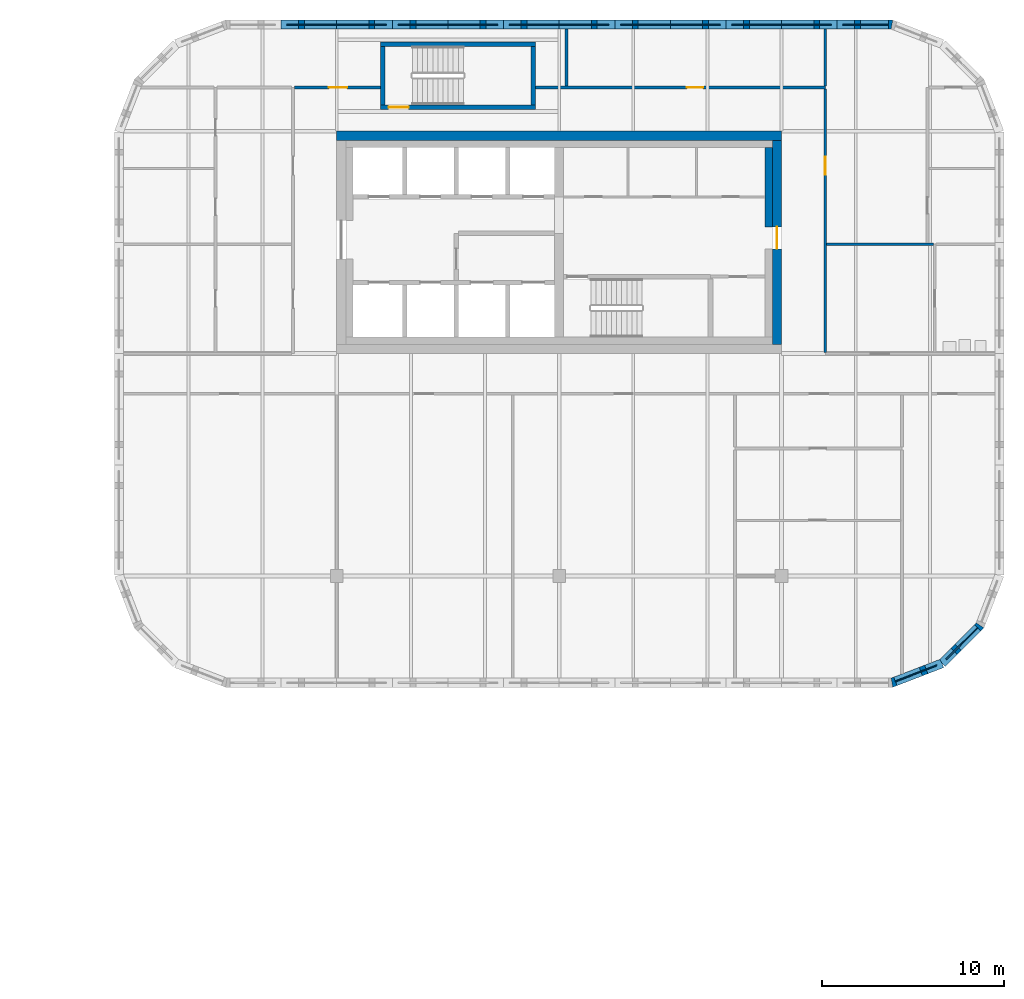
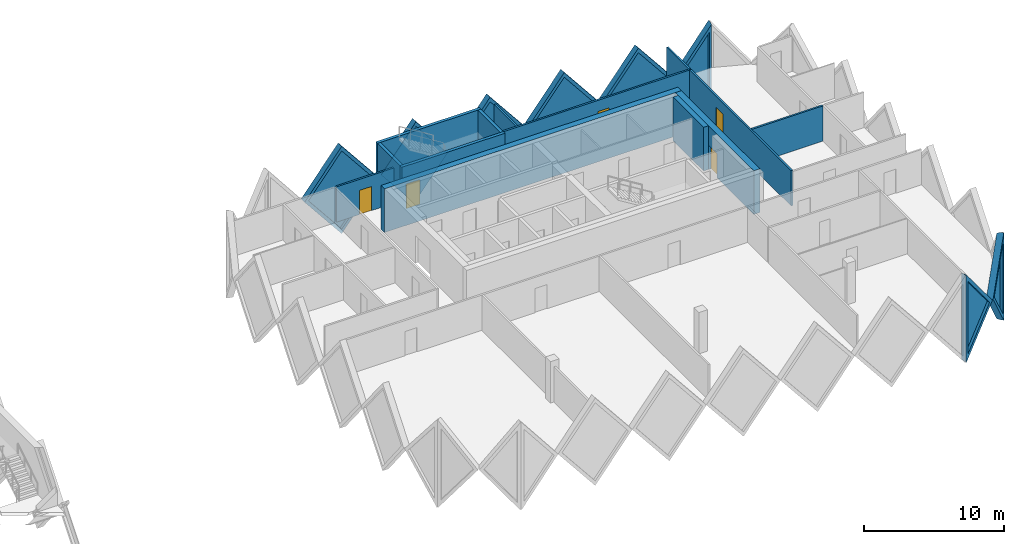
# One storey, part 14 of 19: 21 walls, 8 plates, 5 doors, 13 openings.
"""IFC4 building model written with IfcOpenShell, lengths in metres."""

from ifc_helpers import new_model, si_unit, direction, frame, frame_2d, origin, place, context, subcontext, project, spatial, polyline, rectangle, outline, extrude, faceted_brep, source, transform, mapped, material, layer, layer_set, type_object, element, fill, save


model = new_model("IFC4")

# Units and contexts
model_context = context("Model", 3, precision=1e-05, world=origin(), true_north=direction((0.0, 1.0)))
body_context = subcontext(model_context, "Body", "Model", "MODEL_VIEW")
ifc_project = project(units=[si_unit("LENGTHUNIT", "METRE"), si_unit("AREAUNIT", "SQUARE_METRE"), si_unit("VOLUMEUNIT", "CUBIC_METRE"), si_unit("PLANEANGLEUNIT", "RADIAN"), si_unit("MASSUNIT", "GRAM", prefix="KILO")], contexts=[model_context])

# Site, building, storey
site_placement = place(None, origin())
site = spatial("IfcSite", under=ifc_project, at=site_placement, CompositionType="ELEMENT")
building_placement = place(site_placement, origin())
building = spatial("IfcBuilding", under=site, at=building_placement, Name="Tessera Gate Towers", CompositionType="ELEMENT")
storey_placement = place(building_placement, frame((0.0, 0.0, 83.800048828125)))
storey = spatial("IfcBuildingStorey", under=building, at=storey_placement, Name="L20", CompositionType="ELEMENT", Elevation=83.800048828125)

# Wall, opening, door
ifc_material_1 = material(Name="Concrete C40/50", Category="concrete")
ifc_layer_1 = layer(ifc_material_1, 0.25)
ifc_layer_set_1 = layer_set([ifc_layer_1], Name="CORE ENCLOSURE WALL 250")
wall_type_1 = type_object("IfcWallType", Name="CORE ENCLOSURE WALL 250", PredefinedType="SOLIDWALL", material=ifc_layer_set_1)
wall_1_placement = place(storey_placement, frame((108.5, 50.125, 0.0), z_axis=(0.0, 0.0, 1.0), x_axis=(-1.0, 0.0, 0.0)))
wall_1 = element("IfcWall", 1, at=wall_1_placement, inside=storey, type_object=wall_type_1, Name="L20 ST7 enclosure wall", PredefinedType="SOLIDWALL", context=body_context, shape_type="SweptSolid", body=[
    extrude(rectangle(XDim=8.5, YDim=0.25, at=frame_2d((4.25, 0.0))), origin(), (0.0, 0.0, 1.0), 3.800048828125),
])
shared_shape_1 = source(origin(), body_context, "Body", "SweptSolid", [
    extrude(rectangle(XDim=1.10009765625, YDim=2.10009765625, at=frame_2d((0.550048828125, 1.050048828125))), frame((0.0, 0.135009765625, 0.0), z_axis=(0.0, -1.0, 0.0), x_axis=(1.0, 0.0, 0.0)), (0.0, 0.0, 1.0), 0.27001953125),
])
opening_1_placement = place(wall_1_placement, frame((6.949951171875, 0.0, 0.0)))
opening_1 = element("IfcOpeningElement", 2, at=opening_1_placement, cuts=wall_1, Name="Opening SD-ST7-1", PredefinedType="OPENING", context=body_context, shape_type="MappedRepresentation", body=[
    mapped(shared_shape_1, transform((0.0, 0.0, 0.0), scale=1.0)),
])
ifc_material_2 = material(Name="Hollow steel fire door", Category="steel")
door_type_1 = type_object("IfcDoorType", Name="CORE DOOR SD1100 1100x2100", OperationType="NOTDEFINED", PredefinedType="DOOR", material=ifc_material_2)
shared_shape_2 = source(origin(), body_context, "Body", "SweptSolid", [
    extrude(rectangle(XDim=1.10009765625, YDim=2.10009765625, at=frame_2d((0.550048828125, 1.050048828125))), frame((0.0, 0.02490234375, 0.0), z_axis=(0.0, -1.0, 0.0), x_axis=(1.0, 0.0, 0.0)), (0.0, 0.0, 1.0), 0.050048828125),
])
door_1_placement = place(opening_1_placement, origin())
door_1 = element("IfcDoor", 3, at=door_1_placement, inside=storey, type_object=door_type_1, Name="Stair door", OperationType="SINGLE_SWING_RIGHT", OverallHeight=2.10009765625, OverallWidth=1.10009765625, PredefinedType="DOOR", context=body_context, shape_type="MappedRepresentation", body=[
    mapped(shared_shape_2, transform((0.0, 0.0, 0.0), scale=1.0)),
])
fill(opening_1, door_1)

# Walls
wall_2_placement = place(storey_placement, frame((100.125, 50.25, 0.0), z_axis=(0.0, 0.0, 1.0), x_axis=(0.0, 1.0, 0.0)))
element("IfcWall", 4, at=wall_2_placement, inside=storey, type_object=wall_type_1, Name="L20 ST7 enclosure wall", PredefinedType="SOLIDWALL", context=body_context, shape_type="SweptSolid", body=[
    extrude(rectangle(XDim=3.199951171875, YDim=0.25, at=frame_2d((1.60009765625, 0.0))), origin(), (0.0, 0.0, 1.0), 3.800048828125),
])
wall_3_placement = place(storey_placement, frame((100.0, 53.574951171875, 0.0), z_axis=(0.0, 0.0, 1.0), x_axis=(1.0, 0.0, 0.0)))
element("IfcWall", 5, at=wall_3_placement, inside=storey, type_object=wall_type_1, Name="L20 ST7 enclosure wall", PredefinedType="SOLIDWALL", context=body_context, shape_type="SweptSolid", body=[
    extrude(rectangle(XDim=8.5, YDim=0.25, at=frame_2d((4.25, 0.0))), origin(), (0.0, 0.0, 1.0), 3.800048828125),
])
wall_4_placement = place(storey_placement, frame((108.375, 53.449951171875, 0.0), z_axis=(0.0, 0.0, 1.0), x_axis=(0.0, -1.0, 0.0)))
element("IfcWall", 6, at=wall_4_placement, inside=storey, type_object=wall_type_1, Name="L20 ST7 enclosure wall", PredefinedType="SOLIDWALL", context=body_context, shape_type="SweptSolid", body=[
    extrude(rectangle(XDim=3.199951171875, YDim=0.25, at=frame_2d((1.60009765625, 0.0))), origin(), (0.0, 0.0, 1.0), 3.800048828125),
])
ifc_material_3 = material(Name="Concrete C50/60", Category="concrete")
ifc_layer_2 = layer(ifc_material_3, 0.5)
ifc_layer_set_2 = layer_set([ifc_layer_2], Name="CORE SHEAR WALL 500 C50/60")
wall_type_2 = type_object("IfcWallType", Name="CORE SHEAR WALL 500 C50/60", PredefinedType="SHEAR", material=ifc_layer_set_2)
wall_5_placement = place(storey_placement, frame((97.60009765625, 48.550048828125, 0.0), z_axis=(0.0, 0.0, 1.0), x_axis=(1.0, 0.0, 0.0)))
element("IfcWall", 7, at=wall_5_placement, inside=storey, type_object=wall_type_2, Name="Core wall N L20", PredefinedType="SHEAR", context=body_context, shape_type="SweptSolid", body=[
    extrude(rectangle(XDim=24.39990234375, YDim=0.5, at=frame_2d((12.199951171875, 0.0))), origin(), (0.0, 0.0, 1.0), 3.800048828125),
])

# Wall, opening, door
wall_6_placement = place(storey_placement, frame((121.75, 48.300048828125, 0.0), z_axis=(0.0, 0.0, 1.0), x_axis=(0.0, -1.0, 0.0)))
wall_6 = element("IfcWall", 8, at=wall_6_placement, inside=storey, type_object=wall_type_2, Name="Core wall E L20", PredefinedType="SHEAR", context=body_context, shape_type="SweptSolid", body=[
    extrude(rectangle(XDim=11.199951171875, YDim=0.5, at=frame_2d((5.60009765625, 0.0))), origin(), (0.0, 0.0, 1.0), 3.800048828125),
])
shared_shape_3 = source(origin(), body_context, "Body", "SweptSolid", [
    extrude(rectangle(XDim=1.199951171875, YDim=2.10009765625, at=frame_2d((0.60009765625, 1.050048828125))), frame((0.0, 0.260009765625, 0.0), z_axis=(0.0, -1.0, 0.0), x_axis=(1.0, 0.0, 0.0)), (0.0, 0.0, 1.0), 0.52001953125),
])
opening_2_placement = place(wall_6_placement, frame((4.75, 0.0, 0.0)))
opening_2 = element("IfcOpeningElement", 9, at=opening_2_placement, cuts=wall_6, Name="Opening ED-T2-11-02", PredefinedType="OPENING", context=body_context, shape_type="MappedRepresentation", body=[
    mapped(shared_shape_3, transform((0.0, 0.0, 0.0), scale=1.0)),
])
ifc_material_4 = material(Name="Hollow steel fire door", Category="steel")
door_type_2 = type_object("IfcDoorType", Name="CORE DOOR ED 1200x2100", OperationType="NOTDEFINED", PredefinedType="DOOR", material=ifc_material_4)
shared_shape_4 = source(origin(), body_context, "Body", "SweptSolid", [
    extrude(rectangle(XDim=1.199951171875, YDim=2.10009765625, at=frame_2d((0.60009765625, 1.050048828125))), frame((0.0, 0.02490234375, 0.0), z_axis=(0.0, -1.0, 0.0), x_axis=(1.0, 0.0, 0.0)), (0.0, 0.0, 1.0), 0.050048828125),
])
door_2_placement = place(opening_2_placement, origin())
door_2 = element("IfcDoor", 10, at=door_2_placement, inside=storey, type_object=door_type_2, Name="Core exit door", OperationType="SINGLE_SWING_LEFT", OverallHeight=2.10009765625, OverallWidth=1.199951171875, PredefinedType="DOOR", context=body_context, shape_type="MappedRepresentation", body=[
    mapped(shared_shape_4, transform((0.0, 0.0, 0.0), scale=1.0)),
])
fill(opening_2, door_2)

# Wall
ifc_material_5 = material(Name="Concrete C50/60", Category="concrete")
ifc_layer_3 = layer(ifc_material_5, 0.39990234375)
ifc_layer_set_3 = layer_set([ifc_layer_3], Name="CORE WALL THICKENING 400")
wall_type_3 = type_object("IfcWallType", Name="CORE WALL THICKENING 400", PredefinedType="SOLIDWALL", material=ifc_layer_set_3)
wall_7_placement = place(storey_placement, frame((121.300048828125, 43.550048828125, 0.0), z_axis=(0.0, 0.0, 1.0), x_axis=(0.0, 1.0, 0.0)))
element("IfcWall", 11, at=wall_7_placement, inside=storey, type_object=wall_type_3, Name="Core wall thickening E L20", PredefinedType="SOLIDWALL", context=body_context, shape_type="SweptSolid", body=[
    extrude(rectangle(XDim=4.349853515625, YDim=0.39990234375, at=frame_2d((2.1748046875, 0.0))), origin(), (0.0, 0.0, 1.0), 3.800048828125),
])

# Wall, opening, door
ifc_material_6 = material(Name="Gypsum board on steel studs, mineral wool", Category="steel")
ifc_layer_4 = layer(ifc_material_6, 0.14990234375)
ifc_layer_set_4 = layer_set([ifc_layer_4], Name="CORRIDOR WALL 150")
wall_type_4 = type_object("IfcWallType", Name="CORRIDOR WALL 150", PredefinedType="PARTITIONING", material=ifc_layer_set_4)
wall_8_placement = place(storey_placement, frame((124.39990234375, 51.1240234375, 0.0), z_axis=(0.0, 0.0, 1.0), x_axis=(0.0, -1.0, 0.0)))
wall_8 = element("IfcWall", 12, at=wall_8_placement, inside=storey, type_object=wall_type_4, Name="T2-L20-PW-016", PredefinedType="PARTITIONING", context=body_context, shape_type="SweptSolid", body=[
    extrude(rectangle(XDim=14.447998046875, YDim=0.14990234375, at=frame_2d((7.22412109375, 0.0))), origin(), (0.0, 0.0, 1.0), 3.06689453125),
])
shared_shape_5 = source(origin(), body_context, "Body", "SweptSolid", [
    extrude(rectangle(XDim=1.0, YDim=2.10009765625, at=frame_2d((0.5, 1.050048828125))), frame((0.0, 0.0849609375, 0.0), z_axis=(0.0, -1.0, 0.0), x_axis=(1.0, 0.0, 0.0)), (0.0, 0.0, 1.0), 0.169921875),
])
opening_3_placement = place(wall_8_placement, frame((3.72412109375, 0.0, 0.0)))
opening_3 = element("IfcOpeningElement", 13, at=opening_3_placement, cuts=wall_8, Name="Opening D2100FD60-B08-03", PredefinedType="OPENING", context=body_context, shape_type="MappedRepresentation", body=[
    mapped(shared_shape_5, transform((0.0, 0.0, 0.0), scale=1.0)),
])
ifc_material_7 = material(Name="Timber door leaf in steel frame", Category="steel")
door_type_3 = type_object("IfcDoorType", Name="TENANCY ENTRANCE DOOR 1000 FD60", OperationType="NOTDEFINED", PredefinedType="DOOR", material=ifc_material_7)
shared_shape_6 = source(origin(), body_context, "Body", "SweptSolid", [
    extrude(rectangle(XDim=1.0, YDim=2.10009765625, at=frame_2d((0.5, 1.050048828125))), frame((0.0, 0.02490234375, 0.0), z_axis=(0.0, -1.0, 0.0), x_axis=(1.0, 0.0, 0.0)), (0.0, 0.0, 1.0), 0.050048828125),
])
door_3_placement = place(opening_3_placement, origin())
door_3 = element("IfcDoor", 14, at=door_3_placement, inside=storey, type_object=door_type_3, Name="T2-L20-PD-009", OperationType="SINGLE_SWING_RIGHT", OverallHeight=2.10009765625, OverallWidth=1.0, PredefinedType="DOOR", context=body_context, shape_type="MappedRepresentation", body=[
    mapped(shared_shape_6, transform((0.0, 0.0, 0.0), scale=1.0)),
])
fill(opening_3, door_3)

wall_9_placement = place(storey_placement, frame((95.27587890625, 51.199951171875, 0.0), z_axis=(0.0, 0.0, 1.0), x_axis=(1.0, 0.0, 0.0)))
wall_9 = element("IfcWall", 15, at=wall_9_placement, inside=storey, type_object=wall_type_4, Name="T2-L20-PW-027", PredefinedType="PARTITIONING", context=body_context, shape_type="SweptSolid", body=[
    extrude(rectangle(XDim=4.72412109375, YDim=0.14990234375, at=frame_2d((2.362060546875, 0.0))), origin(), (0.0, 0.0, 1.0), 3.06689453125),
])
opening_4_placement = place(wall_9_placement, frame((1.89990234375, 0.0, 0.0)))
opening_4 = element("IfcOpeningElement", 16, at=opening_4_placement, cuts=wall_9, Name="Opening D2100FD60-B08-02", PredefinedType="OPENING", context=body_context, shape_type="MappedRepresentation", body=[
    mapped(shared_shape_5, transform((0.0, 0.0, 0.0), scale=1.0)),
])
door_4_placement = place(opening_4_placement, origin())
door_4 = element("IfcDoor", 17, at=door_4_placement, inside=storey, type_object=door_type_3, Name="T2-L20-PD-007", OperationType="SINGLE_SWING_LEFT", OverallHeight=2.10009765625, OverallWidth=1.0, PredefinedType="DOOR", context=body_context, shape_type="MappedRepresentation", body=[
    mapped(shared_shape_6, transform((0.0, 0.0, 0.0), scale=1.0)),
])
fill(opening_4, door_4)

wall_10_placement = place(storey_placement, frame((108.5, 51.199951171875, 0.0), z_axis=(0.0, 0.0, 1.0), x_axis=(1.0, 0.0, 0.0)))
wall_10 = element("IfcWall", 18, at=wall_10_placement, inside=storey, type_object=wall_type_4, Name="T2-L20-PW-028", PredefinedType="PARTITIONING", context=body_context, shape_type="SweptSolid", body=[
    extrude(rectangle(XDim=15.89990234375, YDim=0.14990234375, at=frame_2d((7.949951171875, 0.0))), origin(), (0.0, 0.0, 1.0), 3.06689453125),
])
shared_shape_7 = source(origin(), body_context, "Body", "SweptSolid", [
    extrude(rectangle(XDim=0.89990234375, YDim=2.10009765625, at=frame_2d((0.449951171875, 1.050048828125))), frame((0.0, 0.0849609375, 0.0), z_axis=(0.0, -1.0, 0.0), x_axis=(1.0, 0.0, 0.0)), (0.0, 0.0, 1.0), 0.169921875),
])
opening_5_placement = place(wall_10_placement, frame((8.300048828125, 0.0, 0.0)))
opening_5 = element("IfcOpeningElement", 19, at=opening_5_placement, cuts=wall_10, Name="Opening D890FD60-B08-01", PredefinedType="OPENING", context=body_context, shape_type="MappedRepresentation", body=[
    mapped(shared_shape_7, transform((0.0, 0.0, 0.0), scale=1.0)),
])
ifc_material_8 = material(Name="Timber door leaf in steel frame", Category="steel")
door_type_4 = type_object("IfcDoorType", Name="CORRIDOR DOOR 900 FD60", OperationType="NOTDEFINED", PredefinedType="DOOR", material=ifc_material_8)
shared_shape_8 = source(origin(), body_context, "Body", "SweptSolid", [
    extrude(rectangle(XDim=0.89990234375, YDim=2.10009765625, at=frame_2d((0.449951171875, 1.050048828125))), frame((0.0, 0.02490234375, 0.0), z_axis=(0.0, -1.0, 0.0), x_axis=(1.0, 0.0, 0.0)), (0.0, 0.0, 1.0), 0.050048828125),
])
door_5_placement = place(opening_5_placement, origin())
door_5 = element("IfcDoor", 20, at=door_5_placement, inside=storey, type_object=door_type_4, Name="T2-L20-PD-019", OperationType="SINGLE_SWING_LEFT", OverallHeight=2.10009765625, OverallWidth=0.89990234375, PredefinedType="DOOR", context=body_context, shape_type="MappedRepresentation", body=[
    mapped(shared_shape_8, transform((0.0, 0.0, 0.0), scale=1.0)),
])
fill(opening_5, door_5)

# Walls
ifc_material_9 = material(Name="Gypsum board on steel studs, mineral wool", Category="steel")
ifc_layer_5 = layer(ifc_material_9, 0.14990234375)
ifc_layer_set_5 = layer_set([ifc_layer_5], Name="TENANCY WALL 150")
wall_type_5 = type_object("IfcWallType", Name="TENANCY WALL 150", PredefinedType="PARTITIONING", material=ifc_layer_set_5)
wall_11_placement = place(storey_placement, frame((124.47607421875, 42.60009765625, 0.0), z_axis=(0.0, 0.0, 1.0), x_axis=(1.0, 0.0, 0.0)))
element("IfcWall", 21, at=wall_11_placement, inside=storey, type_object=wall_type_5, Name="T2-L20-PW-020", PredefinedType="PARTITIONING", context=body_context, shape_type="SweptSolid", body=[
    extrude(rectangle(XDim=5.847900390625, YDim=0.14990234375, at=frame_2d((2.923828125, 0.0))), origin(), (0.0, 0.0, 1.0), 3.06689453125),
])
for number, where, z_axis, x_axis, name in (
    (22, (110.199951171875, 51.27587890625, 0.0), (0.0, 0.0, 1.0), (0.0, 1.0, 0.0), "T2-L20-PW-030"),
    (23, (124.39990234375, 51.27587890625, 0.0), (0.0, 0.0, 1.0), (0.0, 1.0, 0.0), "T2-L20-PW-031"),
):
    element("IfcWall", number, at=place(storey_placement, frame(where, z_axis=z_axis, x_axis=x_axis)), inside=storey, type_object=wall_type_5, Name=name, PredefinedType="PARTITIONING", context=body_context, shape_type="SweptSolid", body=[
        extrude(rectangle(XDim=3.1240234375, YDim=0.14990234375, at=frame_2d((1.56201171875, 0.0))), origin(), (0.0, 0.0, 1.0), 3.06689453125),
    ])

# Wall, opening, plate
ifc_material_10 = material(Name="Precast concrete C60/75 white", Category="concrete")
ifc_layer_6 = layer(ifc_material_10, 0.5)
ifc_layer_set_6 = layer_set([ifc_layer_6], Name="TS1 tessera")
wall_type_6 = type_object("IfcWallType", Name="TS1 tessera", PredefinedType="SOLIDWALL", material=ifc_layer_set_6)
shared_shape_9 = source(origin(), body_context, "Body", "Brep", [
    faceted_brep([(3.050048828125, -0.25, 0.0), (6.099853515625, -0.25, 3.7998046875), (6.099853515625, -0.25, 3.80029296875), (3.050048828125, -0.25, 7.60009765625), (0.0, -0.25, 3.800048828125), (0.0, 0.25, 3.800048828125), (3.050048828125, 0.25, 7.60009765625), (6.099853515625, 0.25, 3.80029296875), (6.099853515625, 0.25, 3.7998046875), (3.050048828125, 0.25, 0.0)], [[[0, 1, 2, 3, 4]], [[5, 6, 7, 8, 9]], [[9, 8, 1, 0]], [[7, 6, 3, 2]], [[6, 5, 4, 3]], [[5, 9, 0, 4]], [[1, 8, 7, 2]]]),
])
wall_12_placement = place(storey_placement, frame((118.949951171875, 54.64990234375, -3.800048828125), z_axis=(0.0, 0.0, 1.0), x_axis=(-1.0, 0.0, 0.0)))
wall_12 = element("IfcWall", 24, at=wall_12_placement, inside=storey, type_object=wall_type_6, Name="Precast tessera T2 TS1-0244", PredefinedType="SOLIDWALL", context=body_context, shape_type="MappedRepresentation", body=[
    mapped(shared_shape_9, transform((0.0, 0.0, 0.0), scale=1.0)),
])
shared_shape_10 = source(origin(), body_context, "Body", "SweptSolid", [
    extrude(outline(polyline([(3.050048828125, 0.3994140625), (5.779541015625, 3.800048828125), (3.050048828125, 7.20068359375), (0.320556640625, 3.800048828125), (3.050048828125, 0.3994140625)])), frame((0.0, 0.260009765625, 0.0), z_axis=(0.0, -1.0, 0.0), x_axis=(1.0, 0.0, 0.0)), (0.0, 0.0, 1.0), 0.52001953125),
])
opening_6_placement = place(wall_12_placement, origin())
opening_6 = element("IfcOpeningElement", 25, at=opening_6_placement, cuts=wall_12, Name="Opening T2-PL2-0462", PredefinedType="OPENING", context=body_context, shape_type="MappedRepresentation", body=[
    mapped(shared_shape_10, transform((0.0, 0.0, 0.0), scale=1.0)),
])
ifc_material_11 = material(Name="Low-e laminated glass", Category="glass")
ifc_layer_7 = layer(ifc_material_11, 0.06005859375)
ifc_layer_set_7 = layer_set([ifc_layer_7], Name="PL2 rhombic pane")
plate_type = type_object("IfcPlateType", Name="PL2 rhombic pane", PredefinedType="SHEET", material=ifc_layer_set_7)
shared_shape_11 = source(origin(), body_context, "Body", "SweptSolid", [
    extrude(outline(polyline([(3.050048828125, 0.3994140625), (5.779541015625, 3.800048828125), (3.050048828125, 7.20068359375), (0.320556640625, 3.800048828125), (3.050048828125, 0.3994140625)])), frame((0.0, 0.030029296875, 0.0), z_axis=(0.0, -1.0, 0.0), x_axis=(1.0, 0.0, 0.0)), (0.0, 0.0, 1.0), 0.06005859375),
])
plate_1_placement = place(opening_6_placement, origin())
plate_1 = element("IfcPlate", 26, at=plate_1_placement, inside=storey, type_object=plate_type, Name="Glass pane T2 PL2-0462", PredefinedType="SHEET", context=body_context, shape_type="MappedRepresentation", body=[
    mapped(shared_shape_11, transform((0.0, 0.0, 0.0), scale=1.0)),
])
fill(opening_6, plate_1)

wall_13_placement = place(storey_placement, frame((100.64990234375, 54.64990234375, -3.800048828125), z_axis=(0.0, 0.0, 1.0), x_axis=(-1.0, 0.0, 0.0)))
wall_13 = element("IfcWall", 27, at=wall_13_placement, inside=storey, type_object=wall_type_6, Name="Precast tessera T2 TS1-0247", PredefinedType="SOLIDWALL", context=body_context, shape_type="MappedRepresentation", body=[
    mapped(shared_shape_9, transform((0.0, 0.0, 0.0), scale=1.0)),
])
opening_7_placement = place(wall_13_placement, origin())
opening_7 = element("IfcOpeningElement", 28, at=opening_7_placement, cuts=wall_13, Name="Opening T2-PL2-0465", PredefinedType="OPENING", context=body_context, shape_type="MappedRepresentation", body=[
    mapped(shared_shape_10, transform((0.0, 0.0, 0.0), scale=1.0)),
])
plate_2_placement = place(opening_7_placement, origin())
plate_2 = element("IfcPlate", 29, at=plate_2_placement, inside=storey, type_object=plate_type, Name="Glass pane T2 PL2-0465", PredefinedType="SHEET", context=body_context, shape_type="MappedRepresentation", body=[
    mapped(shared_shape_11, transform((0.0, 0.0, 0.0), scale=1.0)),
])
fill(opening_7, plate_2)

shared_shape_12 = source(origin(), body_context, "Body", "SweptSolid", [
    extrude(outline(polyline([(3.050048828125, 0.0), (6.10009765625, 3.800048828125), (3.050048828125, 7.60009765625), (0.0, 3.800048828125), (3.050048828125, 0.0)])), frame((0.0, 0.25, 0.0), z_axis=(0.0, -1.0, 0.0), x_axis=(1.0, 0.0, 0.0)), (0.0, 0.0, 1.0), 0.5),
])
wall_14_placement = place(storey_placement, frame((125.050048828125, 54.64990234375, -3.800048828125), z_axis=(0.0, 0.0, 1.0), x_axis=(-1.0, 0.0, 0.0)))
wall_14 = element("IfcWall", 30, at=wall_14_placement, inside=storey, type_object=wall_type_6, Name="Precast tessera T2 TS1-0243", PredefinedType="SOLIDWALL", context=body_context, shape_type="MappedRepresentation", body=[
    mapped(shared_shape_12, transform((0.0, 0.0, 0.0), scale=1.0)),
])
opening_8_placement = place(wall_14_placement, origin())
opening_8 = element("IfcOpeningElement", 31, at=opening_8_placement, cuts=wall_14, Name="Opening T2-PL2-0461", PredefinedType="OPENING", context=body_context, shape_type="MappedRepresentation", body=[
    mapped(shared_shape_10, transform((0.0, 0.0, 0.0), scale=1.0)),
])
plate_3_placement = place(opening_8_placement, origin())
plate_3 = element("IfcPlate", 32, at=plate_3_placement, inside=storey, type_object=plate_type, Name="Glass pane T2 PL2-0461", PredefinedType="SHEET", context=body_context, shape_type="MappedRepresentation", body=[
    mapped(shared_shape_11, transform((0.0, 0.0, 0.0), scale=1.0)),
])
fill(opening_8, plate_3)

wall_15_placement = place(storey_placement, frame((112.85009765625, 54.64990234375, -3.800048828125), z_axis=(0.0, 0.0, 1.0), x_axis=(-1.0, 0.0, 0.0)))
wall_15 = element("IfcWall", 33, at=wall_15_placement, inside=storey, type_object=wall_type_6, Name="Precast tessera T2 TS1-0245", PredefinedType="SOLIDWALL", context=body_context, shape_type="MappedRepresentation", body=[
    mapped(shared_shape_12, transform((0.0, 0.0, 0.0), scale=1.0)),
])
opening_9_placement = place(wall_15_placement, origin())
opening_9 = element("IfcOpeningElement", 34, at=opening_9_placement, cuts=wall_15, Name="Opening T2-PL2-0463", PredefinedType="OPENING", context=body_context, shape_type="MappedRepresentation", body=[
    mapped(shared_shape_10, transform((0.0, 0.0, 0.0), scale=1.0)),
])
plate_4_placement = place(opening_9_placement, origin())
plate_4 = element("IfcPlate", 35, at=plate_4_placement, inside=storey, type_object=plate_type, Name="Glass pane T2 PL2-0463", PredefinedType="SHEET", context=body_context, shape_type="MappedRepresentation", body=[
    mapped(shared_shape_11, transform((0.0, 0.0, 0.0), scale=1.0)),
])
fill(opening_9, plate_4)

wall_16_placement = place(storey_placement, frame((106.75, 54.64990234375, -3.800048828125), z_axis=(0.0, 0.0, 1.0), x_axis=(-1.0, 0.0, 0.0)))
wall_16 = element("IfcWall", 36, at=wall_16_placement, inside=storey, type_object=wall_type_6, Name="Precast tessera T2 TS1-0246", PredefinedType="SOLIDWALL", context=body_context, shape_type="MappedRepresentation", body=[
    mapped(shared_shape_12, transform((0.0, 0.0, 0.0), scale=1.0)),
])
opening_10_placement = place(wall_16_placement, origin())
opening_10 = element("IfcOpeningElement", 37, at=opening_10_placement, cuts=wall_16, Name="Opening T2-PL2-0464", PredefinedType="OPENING", context=body_context, shape_type="MappedRepresentation", body=[
    mapped(shared_shape_10, transform((0.0, 0.0, 0.0), scale=1.0)),
])
plate_5_placement = place(opening_10_placement, origin())
plate_5 = element("IfcPlate", 38, at=plate_5_placement, inside=storey, type_object=plate_type, Name="Glass pane T2 PL2-0464", PredefinedType="SHEET", context=body_context, shape_type="MappedRepresentation", body=[
    mapped(shared_shape_11, transform((0.0, 0.0, 0.0), scale=1.0)),
])
fill(opening_10, plate_5)

ifc_material_12 = material(Name="Precast concrete C60/75 white", Category="concrete")
ifc_layer_8 = layer(ifc_material_12, 0.5)
ifc_layer_set_8 = layer_set([ifc_layer_8], Name="TS3 corner tessera")
wall_type_7 = type_object("IfcWallType", Name="TS3 corner tessera", PredefinedType="SOLIDWALL", material=ifc_layer_set_8)
shared_shape_13 = source(origin(), body_context, "Body", "Brep", [
    faceted_brep([(0.046630859375, -0.25, 0.0), (3.050048828125, -0.25, 3.800048828125), (0.046630859375, -0.25, 7.60009765625), (0.0, -0.25, 7.5400390625), (0.0, -0.25, 0.06005859375), (0.09326171875, 0.25, 7.541259765625), (3.050048828125, 0.25, 3.800048828125), (0.09326171875, 0.25, 0.058837890625), (0.046630859375, 0.0, 0.0), (0.046630859375, 0.0, 7.60009765625)], [[[0, 1, 2, 3, 4]], [[5, 6, 7]], [[7, 6, 1, 0, 8]], [[6, 5, 9, 2, 1]], [[3, 2, 9]], [[8, 0, 4]], [[7, 8, 4, 3, 9, 5]]]),
])
wall_17_placement = place(storey_placement, frame((128.10009765625, 54.64990234375, -3.800048828125), z_axis=(0.0, 0.0, 1.0), x_axis=(-1.0, 0.0, 0.0)))
wall_17 = element("IfcWall", 39, at=wall_17_placement, inside=storey, type_object=wall_type_7, Name="Precast corner tessera T2 TS3-0298", PredefinedType="SOLIDWALL", context=body_context, shape_type="MappedRepresentation", body=[
    mapped(shared_shape_13, transform((0.0, 0.0, 0.0), scale=1.0)),
])
shared_shape_14 = source(origin(), body_context, "Body", "SweptSolid", [
    extrude(outline(polyline([(0.24658203125, 0.65625), (2.7314453125, 3.800048828125), (0.24658203125, 6.94384765625), (0.24658203125, 0.65625)])), frame((0.0, 0.260009765625, 0.0), z_axis=(0.0, -1.0, 0.0), x_axis=(1.0, 0.0, 0.0)), (0.0, 0.0, 1.0), 0.52001953125),
])
opening_11_placement = place(wall_17_placement, origin())
opening_11 = element("IfcOpeningElement", 40, at=opening_11_placement, cuts=wall_17, Name="Opening T2-PL2-0460", PredefinedType="OPENING", context=body_context, shape_type="MappedRepresentation", body=[
    mapped(shared_shape_14, transform((0.0, 0.0, 0.0), scale=1.0)),
])
shared_shape_15 = source(origin(), body_context, "Body", "SweptSolid", [
    extrude(outline(polyline([(0.24658203125, 0.65625), (2.7314453125, 3.800048828125), (0.24658203125, 6.94384765625), (0.24658203125, 0.65625)])), frame((0.0, 0.030029296875, 0.0), z_axis=(0.0, -1.0, 0.0), x_axis=(1.0, 0.0, 0.0)), (0.0, 0.0, 1.0), 0.06005859375),
])
plate_6_placement = place(opening_11_placement, origin())
plate_6 = element("IfcPlate", 41, at=plate_6_placement, inside=storey, type_object=plate_type, Name="Glass pane T2 PL2-0460", PredefinedType="SHEET", context=body_context, shape_type="MappedRepresentation", body=[
    mapped(shared_shape_15, transform((0.0, 0.0, 0.0), scale=1.0)),
])
fill(opening_11, plate_6)

shared_shape_16 = source(origin(), body_context, "Body", "Brep", [
    faceted_brep([(0.046630859375, -0.25, 0.0), (2.9970703125, -0.25, 3.800048828125), (0.046630859375, -0.25, 7.60009765625), (0.0, -0.25, 7.541259765625), (0.0, -0.25, 0.058837890625), (0.09326171875, 0.25, 7.5400390625), (2.9443359375, 0.25, 3.8681640625), (2.9443359375, 0.25, 3.73193359375), (0.09326171875, 0.25, 0.06005859375), (2.9970703125, 0.00048828125, 3.800048828125), (0.046630859375, 0.0, 0.0), (0.046630859375, 0.0, 7.60009765625)], [[[0, 1, 2, 3, 4]], [[5, 6, 7, 8]], [[8, 7, 9, 1, 0, 10]], [[6, 5, 11, 2, 1, 9]], [[3, 2, 11]], [[10, 0, 4]], [[8, 10, 4, 3, 11, 5]], [[9, 7, 6]]]),
])
wall_18_placement = place(storey_placement, frame((128.010009765625, 18.533203125, -3.800048828125), z_axis=(0.0, 0.0, 1.0), x_axis=(0.932990326376, 0.359901446078, 0.0)))
wall_18 = element("IfcWall", 42, at=wall_18_placement, inside=storey, type_object=wall_type_7, Name="Precast corner tessera T2 TS3-0292", PredefinedType="SOLIDWALL", context=body_context, shape_type="MappedRepresentation", body=[
    mapped(shared_shape_16, transform((0.0, 0.0, 0.0), scale=1.0)),
])
shared_shape_17 = source(origin(), body_context, "Body", "SweptSolid", [
    extrude(outline(polyline([(0.24658203125, 0.665283203125), (2.6806640625, 3.800048828125), (0.24658203125, 6.934814453125), (0.24658203125, 0.665283203125)])), frame((0.0, 0.260009765625, 0.0), z_axis=(0.0, -1.0, 0.0), x_axis=(1.0, 0.0, 0.0)), (0.0, 0.0, 1.0), 0.52001953125),
])
opening_12_placement = place(wall_18_placement, origin())
opening_12 = element("IfcOpeningElement", 43, at=opening_12_placement, cuts=wall_18, Name="Opening T2-PL2-0450", PredefinedType="OPENING", context=body_context, shape_type="MappedRepresentation", body=[
    mapped(shared_shape_17, transform((0.0, 0.0, 0.0), scale=1.0)),
])
shared_shape_18 = source(origin(), body_context, "Body", "SweptSolid", [
    extrude(outline(polyline([(0.24658203125, 0.665283203125), (2.6806640625, 3.800048828125), (0.24658203125, 6.934814453125), (0.24658203125, 0.665283203125)])), frame((0.0, 0.030029296875, 0.0), z_axis=(0.0, -1.0, 0.0), x_axis=(1.0, 0.0, 0.0)), (0.0, 0.0, 1.0), 0.06005859375),
])
plate_7_placement = place(opening_12_placement, origin())
plate_7 = element("IfcPlate", 44, at=plate_7_placement, inside=storey, type_object=plate_type, Name="Glass pane T2 PL2-0450", PredefinedType="SHEET", context=body_context, shape_type="MappedRepresentation", body=[
    mapped(shared_shape_18, transform((0.0, 0.0, 0.0), scale=1.0)),
])
fill(opening_12, plate_7)

shared_shape_19 = source(origin(), body_context, "Body", "Brep", [
    faceted_brep([(2.944091796875, -0.25, 0.0), (2.9970703125, -0.25, 0.068115234375), (2.9970703125, -0.25, 7.531982421875), (2.944091796875, -0.25, 7.60009765625), (0.0, -0.25, 3.800048828125), (0.052978515625, 0.25, 3.868408203125), (2.89111328125, 0.25, 7.531982421875), (2.89111328125, 0.25, 0.068115234375), (0.052978515625, 0.25, 3.731689453125), (2.944091796875, 0.000244140625, 0.0), (2.944091796875, 0.000244140625, 7.60009765625), (0.0, 0.0, 3.800048828125)], [[[0, 1, 2, 3, 4]], [[5, 6, 7, 8]], [[1, 0, 9]], [[10, 3, 2]], [[6, 5, 11, 4, 3, 10]], [[8, 7, 9, 0, 4, 11]], [[8, 11, 5]], [[1, 9, 7, 6, 10, 2]]]),
])
wall_19_placement = place(storey_placement, frame((130.80615234375, 19.61181640625, -3.800048828125), z_axis=(0.0, 0.0, 1.0), x_axis=(0.707106781187, 0.707106781187, 0.0)))
wall_19 = element("IfcWall", 45, at=wall_19_placement, inside=storey, type_object=wall_type_7, Name="Precast corner tessera T2 TS3-0293", PredefinedType="SOLIDWALL", context=body_context, shape_type="MappedRepresentation", body=[
    mapped(shared_shape_19, transform((0.0, 0.0, 0.0), scale=1.0)),
])
shared_shape_20 = source(origin(), body_context, "Body", "SweptSolid", [
    extrude(outline(polyline([(2.744140625, 6.93359375), (0.316162109375, 3.800048828125), (2.744140625, 0.666259765625), (2.744140625, 6.93359375)])), frame((0.0, 0.260009765625, 0.0), z_axis=(0.0, -1.0, 0.0), x_axis=(1.0, 0.0, 0.0)), (0.0, 0.0, 1.0), 0.52001953125),
])
opening_13_placement = place(wall_19_placement, origin())
opening_13 = element("IfcOpeningElement", 46, at=opening_13_placement, cuts=wall_19, Name="Opening T2-PL2-0451", PredefinedType="OPENING", context=body_context, shape_type="MappedRepresentation", body=[
    mapped(shared_shape_20, transform((0.0, 0.0, 0.0), scale=1.0)),
])
shared_shape_21 = source(origin(), body_context, "Body", "SweptSolid", [
    extrude(outline(polyline([(2.744140625, 6.93359375), (0.316162109375, 3.800048828125), (2.744140625, 0.666259765625), (2.744140625, 6.93359375)])), frame((0.0, 0.030029296875, 0.0), z_axis=(0.0, -1.0, 0.0), x_axis=(1.0, 0.0, 0.0)), (0.0, 0.0, 1.0), 0.06005859375),
])
plate_8_placement = place(opening_13_placement, origin())
plate_8 = element("IfcPlate", 47, at=plate_8_placement, inside=storey, type_object=plate_type, Name="Glass pane T2 PL2-0451", PredefinedType="SHEET", context=body_context, shape_type="MappedRepresentation", body=[
    mapped(shared_shape_21, transform((0.0, 0.0, 0.0), scale=1.0)),
])
fill(opening_13, plate_8)

save(model, "model.ifc")
